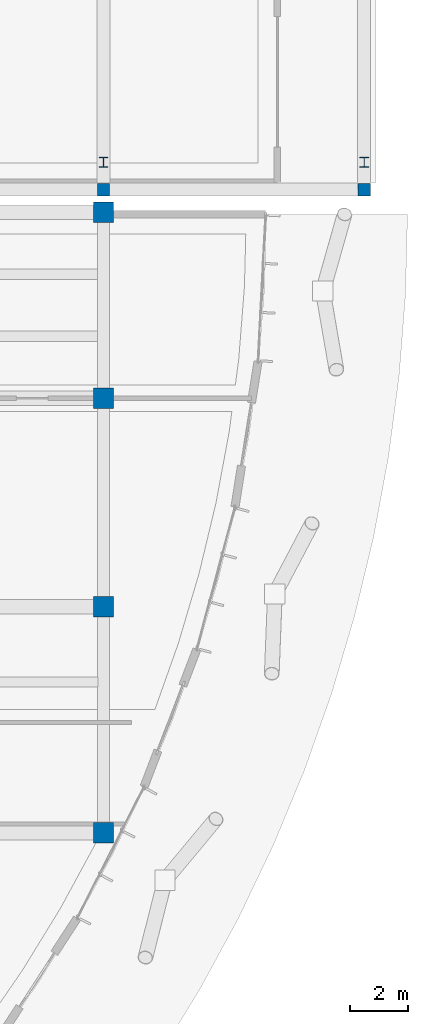
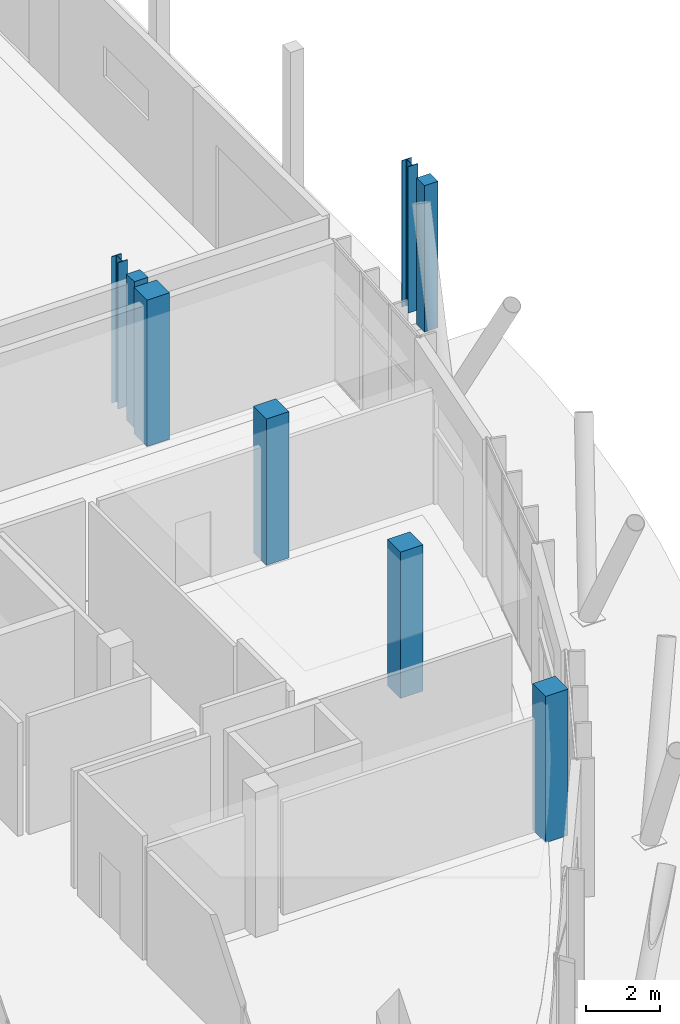
# One storey, part 8 of 151: 8 columns.
"""IFC4 building model written with IfcOpenShell, lengths in metres."""

import ifcopenshell
import ifcopenshell.guid

model = None  # the IFC model being written
_history = None  # IfcOwnerHistory: only IFC2X3 demands one
_inside = {}  # id of a spatial element -> (the spatial element, [elements in it])
_under = {}  # id of a project, library or spatial element -> (it, [spatial elements below it])
_declared = {}  # id of a project -> (the project, [libraries it declares])
_typed = {}  # id of a type object -> (the type object, [elements of that type])
_made_of = {}  # id of a material, layer set ... -> (it, [elements and type objects made of it])


def new_model(schema):
    """Start an empty IFC model of exactly this schema.

    Asked for "IFC4X3", IfcOpenShell would pick the latest addendum, in which some entities
    have other attributes; the version numbers below select the first issue.
    IFC2X3 requires an IfcOwnerHistory on every rooted entity: one is made here for all.
    """
    global model, _history
    if schema == "IFC4X3":
        model = ifcopenshell.file(schema_version=(4, 3, 0, 0))
    else:
        model = ifcopenshell.file(schema=schema)
    _inside.clear()
    _under.clear()
    _declared.clear()
    _typed.clear()
    _made_of.clear()
    _history = None
    if model.schema == "IFC2X3":
        org = make("IfcOrganization", Name="unknown")
        user = make(
            "IfcPersonAndOrganization",
            ThePerson=make("IfcPerson", FamilyName="unknown"),
            TheOrganization=org,
        )
        app = make(
            "IfcApplication",
            ApplicationDeveloper=org,
            Version="unknown",
            ApplicationFullName="unknown",
            ApplicationIdentifier="unknown",
        )
        _history = make(
            "IfcOwnerHistory",
            OwningUser=user,
            OwningApplication=app,
            ChangeAction="ADDED",
            CreationDate=0,
        )
    return model


def make(cls, **values):
    """One entity of the class cls with the attributes given. An attribute that is None is left unset."""
    return model.create_entity(
        cls, **{name: value for name, value in values.items() if value is not None}
    )


def rooted(cls, **values):
    """An entity with a GlobalId (a new one), such as an element, a storey or a relation."""
    return make(cls, GlobalId=ifcopenshell.guid.new(), OwnerHistory=_history, **values)


def si_unit(unit_type, name, prefix=None):
    """IfcSIUnit, for example si_unit("LENGTHUNIT", "METRE", prefix="MILLI")."""
    return make("IfcSIUnit", UnitType=unit_type, Prefix=prefix, Name=name)


def assignment(units):
    """IfcUnitAssignment: the units of a project."""
    return None if units is None else make("IfcUnitAssignment", Units=units)


def point(xyz):
    """IfcCartesianPoint."""
    return None if xyz is None else make("IfcCartesianPoint", Coordinates=xyz)


def direction(xyz):
    """IfcDirection."""
    return None if xyz is None else make("IfcDirection", DirectionRatios=xyz)


def frame(location, z_axis=None, x_axis=None):
    """IfcAxis2Placement3D, a coordinate frame: its origin and axes. An axis left out is left unset."""
    return make(
        "IfcAxis2Placement3D",
        Location=point(location),
        Axis=direction(z_axis),
        RefDirection=direction(x_axis),
    )


def frame_2d(location, x_axis=None):
    """IfcAxis2Placement2D, a coordinate frame in the plane: its origin and x axis."""
    return make(
        "IfcAxis2Placement2D", Location=point(location), RefDirection=direction(x_axis)
    )


def origin():
    """The frame at (0, 0, 0) with its axes left unset."""
    return frame((0.0, 0.0, 0.0))


def origin_2d():
    """The frame at (0, 0) in the plane with its x axis left unset."""
    return frame_2d((0.0, 0.0))


def place(relative_to, where):
    """IfcLocalPlacement: puts the frame where relative to a parent placement (None: the world)."""
    return make(
        "IfcLocalPlacement", PlacementRelTo=relative_to, RelativePlacement=where
    )


def context(
    kind, dimensions, precision=None, world=None, true_north=None, identifier=None
):
    """IfcGeometricRepresentationContext, for example the 3D "Model" context."""
    return make(
        "IfcGeometricRepresentationContext",
        ContextIdentifier=identifier,
        ContextType=kind,
        CoordinateSpaceDimension=dimensions,
        Precision=precision,
        WorldCoordinateSystem=world,
        TrueNorth=true_north,
    )


def subcontext(parent, identifier, kind, view, scale=None):
    """IfcGeometricRepresentationSubContext, for example "Body" below "Model"."""
    return make(
        "IfcGeometricRepresentationSubContext",
        ContextIdentifier=identifier,
        ContextType=kind,
        ParentContext=parent,
        TargetScale=scale,
        TargetView=view,
    )


def project(units=None, contexts=None):
    """IfcProject with its units and contexts."""
    return rooted(
        "IfcProject",
        Name="project",
        RepresentationContexts=contexts,
        UnitsInContext=assignment(units),
    )


def spatial(cls, under=None, at=None, **own):
    """A site, building, storey or space (cls), placed at a placement, below another one or the project."""
    s = rooted(cls, ObjectPlacement=at, **own)
    if under is not None:
        _under.setdefault(under.id(), (under, []))[1].append(s)
    return s


def profile(cls, at=None, kind="AREA", **sizes):
    """A parametric profile (cls). Its sizes go by their IFC names, for example OverallWidth=200.0."""
    return make(cls, ProfileType=kind, Position=at, **sizes)


def rectangle(**sizes):
    """IfcRectangleProfileDef."""
    return profile("IfcRectangleProfileDef", **sizes)


def i_section(**sizes):
    """IfcIShapeProfileDef."""
    return profile("IfcIShapeProfileDef", **sizes)


def extrude(swept, where, along, depth):
    """IfcExtrudedAreaSolid: the profile swept, set in the frame where, extruded along a direction by depth."""
    return make(
        "IfcExtrudedAreaSolid",
        SweptArea=swept,
        Position=where,
        ExtrudedDirection=direction(along),
        Depth=depth,
    )


def shape(context_of_items, identifier, shape_type, items):
    """IfcShapeRepresentation: the items that make up one representation, for example the "Body"."""
    return make(
        "IfcShapeRepresentation",
        ContextOfItems=context_of_items,
        RepresentationIdentifier=identifier,
        RepresentationType=shape_type,
        Items=items,
    )


def material(Name=None, Category=None):
    """IfcMaterial."""
    return make("IfcMaterial", Name=Name, Category=Category)


def material_profile(
    of_material, cross_section, Name=None, Category=None, Priority=None
):
    """IfcMaterialProfile: a cross section and its material."""
    return make(
        "IfcMaterialProfile",
        Name=Name,
        Material=of_material,
        Profile=cross_section,
        Priority=Priority,
        Category=Category,
    )


def profile_set(profiles, Name=None, composite=None):
    """IfcMaterialProfileSet."""
    return make(
        "IfcMaterialProfileSet",
        Name=Name,
        MaterialProfiles=profiles,
        CompositeProfile=composite,
    )


def made_of(thing, what):
    """Note that an element or type object is made of a material, layer set ...; save() writes the relation."""
    if what is not None:
        _made_of.setdefault(what.id(), (what, []))[1].append(thing)
    return thing


def type_object(cls, material=None, **own):
    """A type object (cls), such as IfcWallType, which elements share."""
    return made_of(rooted(cls, **own), material)


def element(
    cls,
    number,
    at=None,
    inside=None,
    cuts=None,
    type_object=None,
    material=None,
    context=None,
    identifier="Body",
    shape_type=None,
    held_by="IfcProductDefinitionShape",
    body=None,
    shapes=None,
    **own,
):
    """One element of the class cls, such as IfcWall. Its Tag is "e" and its number.

    at: its placement. inside: the storey or other place that contains it. cuts: it is an
    opening in that element (IfcRelVoidsElement). A single representation is given by context,
    identifier, shape_type and body (its items); several are given by shapes. held_by: the class
    of the entity that holds the representations. save() writes the other relations.
    """
    e = rooted(cls, Tag="e%d" % number, ObjectPlacement=at, **own)
    if body is not None:
        shapes = [shape(context, identifier, shape_type, body)]
    if shapes is not None:
        e.Representation = make(held_by, Representations=shapes)
    if inside is not None:
        _inside.setdefault(inside.id(), (inside, []))[1].append(e)
    if cuts is not None:
        rooted(
            "IfcRelVoidsElement", RelatingBuildingElement=cuts, RelatedOpeningElement=e
        )
    if type_object is not None:
        _typed.setdefault(type_object.id(), (type_object, []))[1].append(e)
    return made_of(e, material)


def aggregate(whole, parts):
    """IfcRelAggregates: a whole, such as a stair, and the parts it consists of."""
    return rooted("IfcRelAggregates", RelatingObject=whole, RelatedObjects=parts)


def save(model, path):
    """Write the relations noted so far, then the file.

    IfcRelAggregates (storeys below a building ...), IfcRelContainedInSpatialStructure (elements
    in a storey), IfcRelDefinesByType, IfcRelAssociatesMaterial and IfcRelDeclares: one each for
    every whole, place, type object, material and project.
    """
    for whole, parts in _under.values():
        aggregate(whole, parts)
    for where, things in _inside.values():
        rooted(
            "IfcRelContainedInSpatialStructure",
            RelatedElements=things,
            RelatingStructure=where,
        )
    for kind, things in _typed.values():
        rooted("IfcRelDefinesByType", RelatedObjects=things, RelatingType=kind)
    for what, things in _made_of.values():
        rooted("IfcRelAssociatesMaterial", RelatedObjects=things, RelatingMaterial=what)
    for by, libraries in _declared.values():
        rooted("IfcRelDeclares", RelatingContext=by, RelatedDefinitions=libraries)
    model.write(path)


model = new_model("IFC4")

# Units and contexts
model_context = context("Model", 3, precision=1e-05, world=origin(), true_north=direction((0.0, 1.0)))
body_context = subcontext(model_context, "Body", "Model", "MODEL_VIEW")
ifc_project = project(units=[si_unit("LENGTHUNIT", "METRE"), si_unit("AREAUNIT", "SQUARE_METRE"), si_unit("VOLUMEUNIT", "CUBIC_METRE"), si_unit("PLANEANGLEUNIT", "RADIAN"), si_unit("MASSUNIT", "GRAM", prefix="KILO")], contexts=[model_context])

# Site, building, storey
site_placement = place(None, origin())
site = spatial("IfcSite", under=ifc_project, at=site_placement, CompositionType="ELEMENT")
building_placement = place(site_placement, origin())
building = spatial("IfcBuilding", under=site, at=building_placement, Name="Chiffa Square Polytechnic", CompositionType="ELEMENT")
storey_placement = place(building_placement, origin())
storey = spatial("IfcBuildingStorey", under=building, at=storey_placement, Name="L00", CompositionType="ELEMENT", Elevation=0.0)

# Columns
ifc_material_1 = material(Name="Glulam GL32c", Category="wood")
ifc_material_profile_1 = material_profile(ifc_material_1, rectangle(XDim=0.419921875, YDim=0.419921875, at=origin_2d()), Name="GL32c 420x420")
ifc_profile_set_1 = profile_set([ifc_material_profile_1], Name="Glulam GL32c")
column_type_1 = type_object("IfcColumnType", Name="COL-GL-420", PredefinedType="COLUMN", material=ifc_profile_set_1)
for number, where, z_axis, x_axis, name in (
    (1, (166.199951171875, 58.199951171875, 0.0), (0.0, 0.0, 1.0), (1.0, 0.0, 0.0), "Column C-V2-L00-1662-0582"),
    (2, (175.199951171875, 58.199951171875, 0.0), (0.0, 0.0, 1.0), (1.0, 0.0, 0.0), "Column C-V2-L00-1752-0582"),
):
    element("IfcColumn", number, at=place(storey_placement, frame(where, z_axis=z_axis, x_axis=x_axis)), inside=storey, type_object=column_type_1, Name=name, PredefinedType="COLUMN", context=body_context, shape_type="SweptSolid", body=[
        extrude(rectangle(XDim=0.419921875, YDim=0.419921875, at=origin_2d()), origin(), (0.0, 0.0, 1.0), 4.800048828125),
    ])
ifc_material_2 = material(Name="Concrete C40/50", Category="concrete")
ifc_material_profile_2 = material_profile(ifc_material_2, rectangle(XDim=0.699951171875, YDim=0.699951171875, at=origin_2d()), Name="RC 700x700")
ifc_profile_set_2 = profile_set([ifc_material_profile_2], Name="Concrete C40/50")
column_type_2 = type_object("IfcColumnType", Name="COL-RC-700", PredefinedType="COLUMN", material=ifc_profile_set_2)
for number, where, z_axis, x_axis, name in (
    (3, (166.199951171875, 36.0, 0.0), (0.0, 0.0, 1.0), (1.0, 0.0, 0.0), "Column C-V1-L00-1662-0360"),
    (4, (166.199951171875, 43.800048828125, 0.0), (0.0, 0.0, 1.0), (1.0, 0.0, 0.0), "Column C-V1-L00-1662-0438"),
    (5, (166.199951171875, 51.0, 0.0), (0.0, 0.0, 1.0), (1.0, 0.0, 0.0), "Column C-V1-L00-1662-0510"),
    (6, (166.199951171875, 57.419921875, 0.0), (0.0, 0.0, 1.0), (1.0, 0.0, 0.0), "Column C-V1-L00-1662-0574"),
):
    element("IfcColumn", number, at=place(storey_placement, frame(where, z_axis=z_axis, x_axis=x_axis)), inside=storey, type_object=column_type_2, Name=name, PredefinedType="COLUMN", context=body_context, shape_type="SweptSolid", body=[
        extrude(rectangle(XDim=0.699951171875, YDim=0.699951171875, at=origin_2d()), origin(), (0.0, 0.0, 1.0), 4.800048828125),
    ])
ifc_material_3 = material(Name="Steel S355", Category="steel")
ifc_material_profile_3 = material_profile(ifc_material_3, i_section(OverallWidth=0.300048828125, OverallDepth=0.35009765625, WebThickness=0.010009765625, FlangeThickness=0.017578125, FilletRadius=0.027099609375, at=origin_2d()), Name="HEA 360")
ifc_profile_set_3 = profile_set([ifc_material_profile_3], Name="Steel S355")
column_type_3 = type_object("IfcColumnType", Name="COL-STL-HEA360", PredefinedType="COLUMN", material=ifc_profile_set_3)
for number, where, z_axis, x_axis, name in (
    (7, (166.199951171875, 59.14990234375, 0.0), (0.0, 0.0, 1.0), (1.0, 0.0, 0.0), "Crane stanchion column C-V2-CRN-L00-166-S"),
    (8, (175.199951171875, 59.14990234375, 0.0), (0.0, 0.0, 1.0), (1.0, 0.0, 0.0), "Crane stanchion column C-V2-CRN-L00-175-S"),
):
    element("IfcColumn", number, at=place(storey_placement, frame(where, z_axis=z_axis, x_axis=x_axis)), inside=storey, type_object=column_type_3, Name=name, PredefinedType="COLUMN", context=body_context, shape_type="SweptSolid", body=[
        extrude(i_section(OverallWidth=0.300048828125, OverallDepth=0.35009765625, WebThickness=0.010009765625, FlangeThickness=0.017578125, FilletRadius=0.027099609375, at=origin_2d()), origin(), (0.0, 0.0, 1.0), 4.800048828125),
    ])

save(model, "model.ifc")
